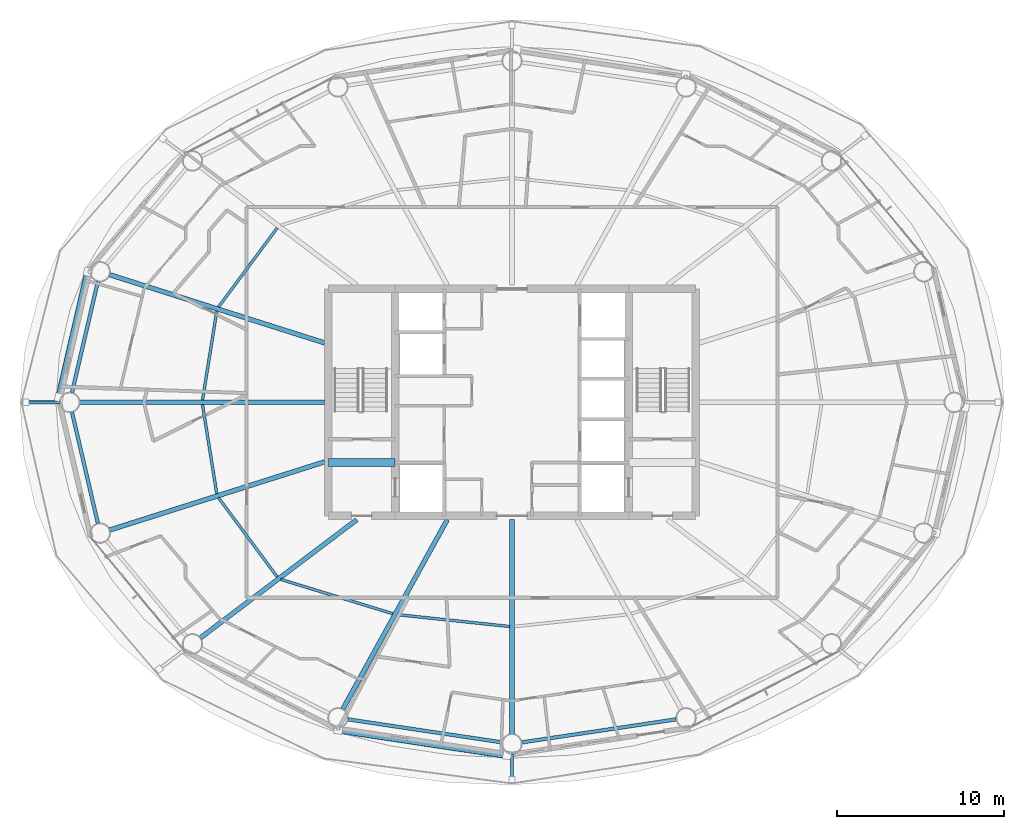
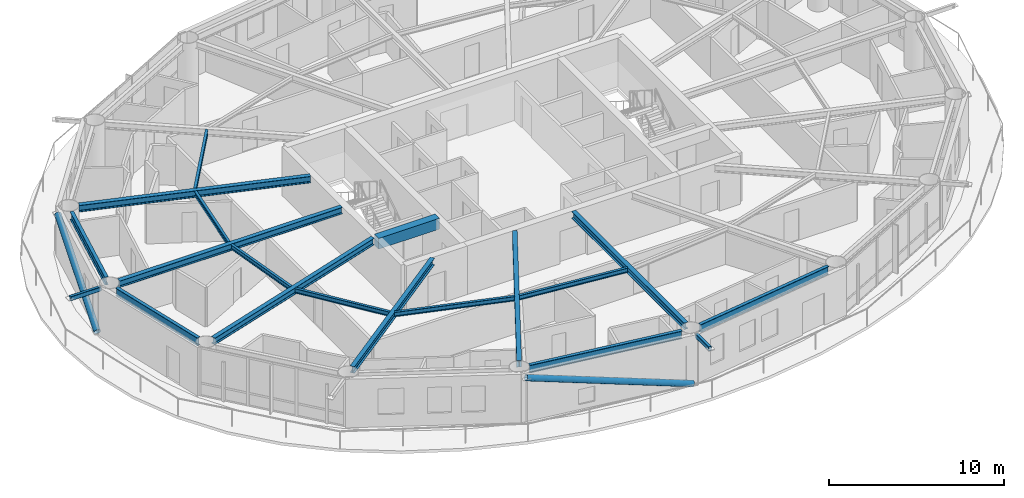
# One storey, part 4 of 27: 17 beams, 4 members.
"""IFC4 building model written with IfcOpenShell, lengths in metres."""

from ifc_helpers import new_model, si_unit, direction, frame, origin, origin_2d, place, context, subcontext, project, spatial, rectangle, hollow_rectangle, hollow_circle, i_section, extrude, material, material_profile, profile_set, type_object, element, save


model = new_model("IFC4")

# Units and contexts
model_context = context("Model", 3, precision=1e-05, world=origin(), true_north=direction((0.0, 1.0)))
body_context = subcontext(model_context, "Body", "Model", "MODEL_VIEW")
ifc_project = project(units=[si_unit("LENGTHUNIT", "METRE"), si_unit("AREAUNIT", "SQUARE_METRE"), si_unit("VOLUMEUNIT", "CUBIC_METRE"), si_unit("PLANEANGLEUNIT", "RADIAN"), si_unit("MASSUNIT", "GRAM", prefix="KILO")], contexts=[model_context])

# Site, building, storey
site_placement = place(None, origin())
site = spatial("IfcSite", under=ifc_project, at=site_placement, CompositionType="ELEMENT")
building_placement = place(site_placement, origin())
building = spatial("IfcBuilding", under=site, at=building_placement, Name="Sarneth Arch Tower", CompositionType="ELEMENT")
storey_placement = place(building_placement, frame((0.0, 0.0, 193.800048828125)))
storey = spatial("IfcBuildingStorey", under=building, at=storey_placement, Name="L49", CompositionType="ELEMENT", Elevation=193.800048828125)

# Beams
ifc_material_1 = material(Name="Steel S355", Category="steel")
ifc_material_profile_1 = material_profile(ifc_material_1, i_section(OverallWidth=0.1669921875, OverallDepth=0.31689453125, WebThickness=0.007568359375, FlangeThickness=0.01318359375, FilletRadius=0.012939453125, at=origin_2d()), Name="W310x52")
ifc_profile_set_1 = profile_set([ifc_material_profile_1], Name="Steel S355")
beam_type_1 = type_object("IfcBeamType", Name="BM-JOIST-310B", PredefinedType="JOIST", material=ifc_profile_set_1)
beam_1_placement = place(storey_placement, frame((33.941162109375, 52.449462890625, 3.221435546875), z_axis=(-0.596190586674, -0.802842938788, 0.0), x_axis=(0.802842938788, -0.596190586674, 0.0)))
element("IfcBeam", 1, at=beam_1_placement, inside=storey, type_object=beam_type_1, Name="L49 Secondary floor joist 07", PredefinedType="JOIST", context=body_context, shape_type="SweptSolid", body=[
    extrude(i_section(OverallWidth=0.1669921875, OverallDepth=0.31689453125, WebThickness=0.007568359375, FlangeThickness=0.01318359375, FilletRadius=0.012939453125, at=origin_2d()), origin(), (0.0, 0.0, 1.0), 5.896484375),
])
for number, where, z_axis, x_axis, name in (
    (2, (30.3203125, 47.46484375, 3.221435546875), (-0.158348792374, -0.987383238643, 0.0), (0.987383238643, -0.158348792374, 0.0), "L49 Secondary floor joist 08"),
    (3, (29.466064453125, 41.86181640625, 3.221435546875), (0.158348792374, -0.987383238643, 0.0), (0.987383238643, 0.158348792374, 0.0), "L49 Secondary floor joist 09"),
):
    element("IfcBeam", number, at=place(storey_placement, frame(where, z_axis=z_axis, x_axis=x_axis)), inside=storey, type_object=beam_type_1, Name=name, PredefinedType="JOIST", context=body_context, shape_type="SweptSolid", body=[
        extrude(i_section(OverallWidth=0.1669921875, OverallDepth=0.31689453125, WebThickness=0.007568359375, FlangeThickness=0.01318359375, FilletRadius=0.012939453125, at=origin_2d()), origin(), (0.0, 0.0, 1.0), 5.394775390625),
    ])
beam_2_placement = place(storey_placement, frame((30.42578125, 36.284423828125, 3.221435546875), z_axis=(0.596190586674, -0.802842938788, 0.0), x_axis=(0.802842938788, 0.596190586674, 0.0)))
element("IfcBeam", 4, at=beam_2_placement, inside=storey, type_object=beam_type_1, Name="L49 Secondary floor joist 10", PredefinedType="JOIST", context=body_context, shape_type="SweptSolid", body=[
    extrude(i_section(OverallWidth=0.1669921875, OverallDepth=0.31689453125, WebThickness=0.007568359375, FlangeThickness=0.01318359375, FilletRadius=0.012939453125, at=origin_2d()), origin(), (0.0, 0.0, 1.0), 5.896484375),
])
beam_3_placement = place(storey_placement, frame((34.15869140625, 31.397216796875, 3.221435546875), z_axis=(0.956178669891, -0.292783796076, 0.0), x_axis=(0.292783796076, 0.956178669891, 0.0)))
element("IfcBeam", 5, at=beam_3_placement, inside=storey, type_object=beam_type_1, Name="L49 Secondary floor joist 11", PredefinedType="JOIST", context=body_context, shape_type="SweptSolid", body=[
    extrude(i_section(OverallWidth=0.1669921875, OverallDepth=0.31689453125, WebThickness=0.007568359375, FlangeThickness=0.01318359375, FilletRadius=0.012939453125, at=origin_2d()), origin(), (0.0, 0.0, 1.0), 7.010986328125),
])
beam_4_placement = place(storey_placement, frame((41.1357421875, 29.288818359375, 3.221435546875), z_axis=(0.994447340543, -0.105235387994, 0.0), x_axis=(0.105235387994, 0.994447340543, 0.0)))
element("IfcBeam", 6, at=beam_4_placement, inside=storey, type_object=beam_type_1, Name="L49 Secondary floor joist 12", PredefinedType="JOIST", context=body_context, shape_type="SweptSolid", body=[
    extrude(i_section(OverallWidth=0.1669921875, OverallDepth=0.31689453125, WebThickness=0.007568359375, FlangeThickness=0.01318359375, FilletRadius=0.012939453125, at=origin_2d()), origin(), (0.0, 0.0, 1.0), 6.7626953125),
])
ifc_material_2 = material(Name="Concrete C50/60", Category="concrete")
ifc_material_profile_2 = material_profile(ifc_material_2, rectangle(XDim=0.5, YDim=0.75, at=origin_2d()), Name="RC-500x750")
ifc_profile_set_2 = profile_set([ifc_material_profile_2], Name="Concrete C50/60")
beam_type_2 = type_object("IfcBeamType", Name="BM-LINTEL-RC", PredefinedType="LINTEL", material=ifc_profile_set_2)
beam_5_placement = place(storey_placement, frame((37.0, 38.39990234375, 3.0048828125), z_axis=(1.0, 0.0, 0.0), x_axis=(0.0, 1.0, 0.0)))
element("IfcBeam", 7, at=beam_5_placement, inside=storey, type_object=beam_type_2, Name="L49 Core coupling lintel W", PredefinedType="LINTEL", context=body_context, shape_type="SweptSolid", body=[
    extrude(rectangle(XDim=0.5, YDim=0.75, at=origin_2d()), origin(), (0.0, 0.0, 1.0), 4.0),
])
ifc_material_3 = material(Name="Steel S355", Category="steel")
ifc_material_profile_3 = material_profile(ifc_material_3, i_section(OverallWidth=0.280029296875, OverallDepth=0.462890625, WebThickness=0.0107421875, FlangeThickness=0.017333984375, FilletRadius=0.01806640625, at=origin_2d()), Name="W460x113")
ifc_profile_set_3 = profile_set([ifc_material_profile_3], Name="Steel S355")
beam_type_3 = type_object("IfcBeamType", Name="BM-RAD-460A", PredefinedType="BEAM", material=ifc_profile_set_3)
beam_6_placement = place(storey_placement, frame((36.77490234375, 45.56201171875, 3.1484375), z_axis=(-0.95316541071, 0.30244949963, 0.0), x_axis=(-0.30244949963, -0.95316541071, 0.0)))
element("IfcBeam", 8, at=beam_6_placement, inside=storey, type_object=beam_type_3, Name="L49 Radial floor girder 08", PredefinedType="BEAM", context=body_context, shape_type="SweptSolid", body=[
    extrude(i_section(OverallWidth=0.280029296875, OverallDepth=0.462890625, WebThickness=0.0107421875, FlangeThickness=0.017333984375, FilletRadius=0.01806640625, at=origin_2d()), origin(), (0.0, 0.0, 1.0), 13.497314453125),
])
beam_7_placement = place(storey_placement, frame((36.77490234375, 42.0, 3.1484375), z_axis=(-1.0, 0.0, 0.0), x_axis=(0.0, -1.0, 0.0)))
element("IfcBeam", 9, at=beam_7_placement, inside=storey, type_object=beam_type_3, Name="L49 Radial floor girder 09", PredefinedType="BEAM", context=body_context, shape_type="SweptSolid", body=[
    extrude(i_section(OverallWidth=0.280029296875, OverallDepth=0.462890625, WebThickness=0.0107421875, FlangeThickness=0.017333984375, FilletRadius=0.01806640625, at=origin_2d()), origin(), (0.0, 0.0, 1.0), 14.661865234375),
])
beam_8_placement = place(storey_placement, frame((36.77490234375, 38.43798828125, 3.1484375), z_axis=(-0.95316541071, -0.30244949963, 0.0), x_axis=(0.30244949963, -0.95316541071, 0.0)))
element("IfcBeam", 10, at=beam_8_placement, inside=storey, type_object=beam_type_3, Name="L49 Radial floor girder 10", PredefinedType="BEAM", context=body_context, shape_type="SweptSolid", body=[
    extrude(i_section(OverallWidth=0.280029296875, OverallDepth=0.462890625, WebThickness=0.0107421875, FlangeThickness=0.017333984375, FilletRadius=0.01806640625, at=origin_2d()), origin(), (0.0, 0.0, 1.0), 13.497314453125),
])
beam_9_placement = place(storey_placement, frame((38.70458984375, 34.97509765625, 3.1484375), z_axis=(-0.797784574467, -0.602942594898, 0.0), x_axis=(0.602942594898, -0.797784574467, 0.0)))
element("IfcBeam", 11, at=beam_9_placement, inside=storey, type_object=beam_type_3, Name="L49 Radial floor girder 11", PredefinedType="BEAM", context=body_context, shape_type="SweptSolid", body=[
    extrude(i_section(OverallWidth=0.280029296875, OverallDepth=0.462890625, WebThickness=0.0107421875, FlangeThickness=0.017333984375, FilletRadius=0.01806640625, at=origin_2d()), origin(), (0.0, 0.0, 1.0), 11.73193359375),
])
beam_10_placement = place(storey_placement, frame((44.125, 34.97509765625, 3.1484375), z_axis=(-0.483010082599, -0.875614789795, 0.0), x_axis=(0.875614789795, -0.483010082599, 0.0)))
element("IfcBeam", 12, at=beam_10_placement, inside=storey, type_object=beam_type_3, Name="L49 Radial floor girder 12", PredefinedType="BEAM", context=body_context, shape_type="SweptSolid", body=[
    extrude(i_section(OverallWidth=0.280029296875, OverallDepth=0.462890625, WebThickness=0.0107421875, FlangeThickness=0.017333984375, FilletRadius=0.01806640625, at=origin_2d()), origin(), (0.0, 0.0, 1.0), 12.954345703125),
])
beam_11_placement = place(storey_placement, frame((48.0, 34.97509765625, 3.1484375), z_axis=(0.0, -1.0, 0.0), x_axis=(1.0, 0.0, 0.0)))
element("IfcBeam", 13, at=beam_11_placement, inside=storey, type_object=beam_type_3, Name="L49 Radial floor girder 13", PredefinedType="BEAM", context=body_context, shape_type="SweptSolid", body=[
    extrude(i_section(OverallWidth=0.280029296875, OverallDepth=0.462890625, WebThickness=0.0107421875, FlangeThickness=0.017333984375, FilletRadius=0.01806640625, at=origin_2d()), origin(), (0.0, 0.0, 1.0), 12.8251953125),
])
ifc_material_4 = material(Name="Steel S355", Category="steel")
ifc_material_profile_4 = material_profile(ifc_material_4, i_section(OverallWidth=0.214111328125, OverallDepth=0.549072265625, WebThickness=0.0146484375, FlangeThickness=0.023681640625, FilletRadius=0.01806640625, at=origin_2d()), Name="W530x138")
ifc_profile_set_4 = profile_set([ifc_material_profile_4], Name="Steel S355")
beam_type_4 = type_object("IfcBeamType", Name="BM-RAD-530A", PredefinedType="BEAM", material=ifc_profile_set_4)
for number, where, z_axis, x_axis, name in (
    (14, (23.20166015625, 49.241455078125, 3.10546875), (-0.227109937572, -0.973869126863, 0.0), (0.973869126863, -0.227109937572, 0.0), "L49 Perimeter spandrel beam 08"),
    (15, (21.649169921875, 41.415771484375, 3.10546875), (0.227109937572, -0.973869126863, 0.0), (0.973869126863, 0.227109937572, 0.0), "L49 Perimeter spandrel beam 09"),
):
    element("IfcBeam", number, at=place(storey_placement, frame(where, z_axis=z_axis, x_axis=x_axis)), inside=storey, type_object=beam_type_4, Name=name, PredefinedType="BEAM", context=body_context, shape_type="SweptSolid", body=[
        extrude(i_section(OverallWidth=0.214111328125, OverallDepth=0.549072265625, WebThickness=0.0146484375, FlangeThickness=0.023681640625, FilletRadius=0.01806640625, at=origin_2d()), origin(), (0.0, 0.0, 1.0), 6.8359375),
    ])
for number, where, z_axis, x_axis, name in (
    (16, (38.171630859375, 23.01806640625, 3.10546875), (0.98902783755, -0.147729267756, 0.0), (0.147729267756, 0.98902783755, 0.0), "L49 Perimeter spandrel beam 12"),
    (17, (48.593505859375, 21.638671875, 3.10546875), (0.98902783755, 0.147729267756, 0.0), (-0.147729267756, 0.98902783755, 0.0), "L49 Perimeter spandrel beam 13"),
):
    element("IfcBeam", number, at=place(storey_placement, frame(where, z_axis=z_axis, x_axis=x_axis)), inside=storey, type_object=beam_type_4, Name=name, PredefinedType="BEAM", context=body_context, shape_type="SweptSolid", body=[
        extrude(i_section(OverallWidth=0.214111328125, OverallDepth=0.549072265625, WebThickness=0.0146484375, FlangeThickness=0.023681640625, FilletRadius=0.01806640625, at=origin_2d()), origin(), (0.0, 0.0, 1.0), 9.33740234375),
    ])

# Members
ifc_material_5 = material(Name="Steel S355", Category="steel")
ifc_material_profile_5 = material_profile(ifc_material_5, hollow_rectangle(XDim=0.199951171875, YDim=0.300048828125, WallThickness=0.012451171875, InnerFilletRadius=0.018798828125, OuterFilletRadius=0.03125, at=origin_2d()), Name="RHS300x200x12.5")
ifc_profile_set_5 = profile_set([ifc_material_profile_5], Name="Steel S355")
member_type_1 = type_object("IfcMemberType", Name="MEM-CANT-STRUT", PredefinedType="STRUT", material=ifc_profile_set_5)
member_1_placement = place(storey_placement, frame((20.9130859375, 42.0, 3.219970703125), z_axis=(-1.0, 0.0, 0.0), x_axis=(0.0, -1.0, 0.0)))
element("IfcMember", 18, at=member_1_placement, inside=storey, type_object=member_type_1, Name="L49 Balcony cantilever bracket 09", PredefinedType="STRUT", context=body_context, shape_type="SweptSolid", body=[
    extrude(hollow_rectangle(XDim=0.199951171875, YDim=0.300048828125, WallThickness=0.012451171875, InnerFilletRadius=0.018798828125, OuterFilletRadius=0.03125, at=origin_2d()), origin(), (0.0, 0.0, 1.0), 2.01318359375),
])
member_2_placement = place(storey_placement, frame((48.0, 20.949951171875, 3.219970703125), z_axis=(0.0, -1.0, 0.0), x_axis=(1.0, 0.0, 0.0)))
element("IfcMember", 19, at=member_2_placement, inside=storey, type_object=member_type_1, Name="L49 Balcony cantilever bracket 13", PredefinedType="STRUT", context=body_context, shape_type="SweptSolid", body=[
    extrude(hollow_rectangle(XDim=0.199951171875, YDim=0.300048828125, WallThickness=0.012451171875, InnerFilletRadius=0.018798828125, OuterFilletRadius=0.03125, at=origin_2d()), origin(), (0.0, 0.0, 1.0), 1.536865234375),
])
ifc_material_6 = material(Name="Steel S355", Category="steel")
ifc_material_profile_6 = material_profile(ifc_material_6, hollow_circle(Radius=0.202880859375, WallThickness=0.01611328125, at=origin_2d()), Name="CHS406x16")
ifc_profile_set_6 = profile_set([ifc_material_profile_6], Name="Steel S355")
member_type_2 = type_object("IfcMemberType", Name="MEM-DIAG-BR2", PredefinedType="BRACE", material=ifc_profile_set_6)
member_3_placement = place(storey_placement, frame((20.87109375, 42.292236328125, 0.02001953125), z_axis=(0.209646277215, 0.90691666474, 0.365445757488), x_axis=(-0.974306903917, 0.225224459107, 0.0)))
element("IfcMember", 20, at=member_3_placement, inside=storey, type_object=member_type_2, Name="L49 Perimeter frame diagonal 08", PredefinedType="BRACE", context=body_context, shape_type="SweptSolid", body=[
    extrude(hollow_circle(Radius=0.202880859375, WallThickness=0.01611328125, at=origin_2d()), origin(), (0.0, 0.0, 1.0), 8.292724609375),
])
member_4_placement = place(storey_placement, frame((47.703369140625, 20.86474609375, 0.02001953125), z_axis=(-0.948052912183, 0.142822782379, 0.284248708942), x_axis=(-0.148967610144, -0.988842075929, 0.0)))
element("IfcMember", 21, at=member_4_placement, inside=storey, type_object=member_type_2, Name="L49 Perimeter frame diagonal 12", PredefinedType="BRACE", context=body_context, shape_type="SweptSolid", body=[
    extrude(hollow_circle(Radius=0.202880859375, WallThickness=0.01611328125, at=origin_2d()), origin(), (0.0, 0.0, 1.0), 10.66162109375),
])

save(model, "model.ifc")
